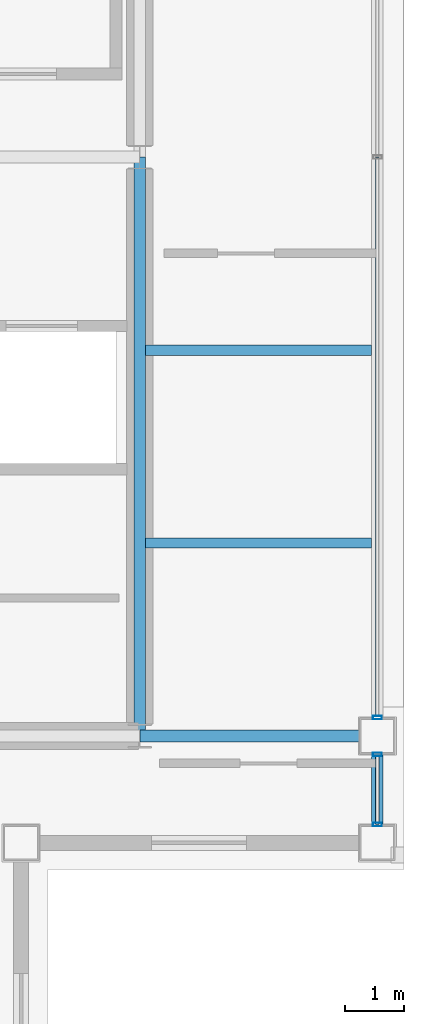
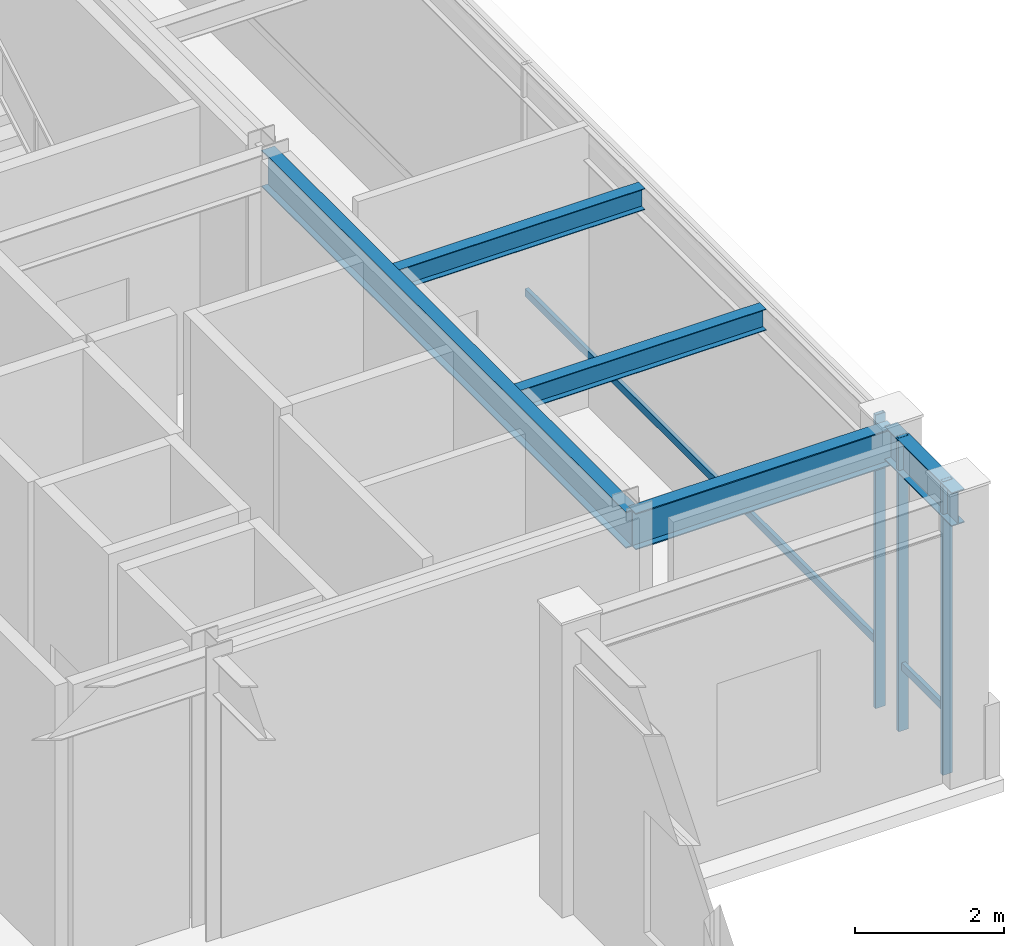
# One storey, part 10 of 21: 5 beams, 5 members, 2 elements without a shape of their own.
"""IFC4 building model written with IfcOpenShell, lengths in metres."""

from ifc_helpers import new_model, si_unit, direction, frame, origin, origin_2d, place, context, subcontext, project, spatial, hollow_rectangle, i_section, extrude, material, layer, layer_set, material_profile, profile_set, type_object, element, aggregate, save


model = new_model("IFC4")

# Units and contexts
model_context = context("Model", 3, precision=1e-05, world=origin(), true_north=direction((0.0, 1.0)))
body_context = subcontext(model_context, "Body", "Model", "MODEL_VIEW")
ifc_project = project(units=[si_unit("LENGTHUNIT", "METRE"), si_unit("AREAUNIT", "SQUARE_METRE"), si_unit("VOLUMEUNIT", "CUBIC_METRE"), si_unit("PLANEANGLEUNIT", "RADIAN"), si_unit("MASSUNIT", "GRAM", prefix="KILO")], contexts=[model_context])

# Site, building, storey
site_placement = place(None, origin())
site = spatial("IfcSite", under=ifc_project, at=site_placement, CompositionType="ELEMENT")
building_placement = place(site_placement, origin())
building = spatial("IfcBuilding", under=site, at=building_placement, Name="Brelmoor Portico Tower", CompositionType="ELEMENT")
storey_placement = place(building_placement, frame((0.0, 0.0, 284.39990234375)))
storey = spatial("IfcBuildingStorey", under=building, at=storey_placement, Name="L75", CompositionType="ELEMENT", Elevation=284.39990234375)

# Beams
ifc_material_1 = material(Name="Steel Q355B", Category="steel")
ifc_material_profile_1 = material_profile(ifc_material_1, i_section(OverallWidth=0.175048828125, OverallDepth=0.35009765625, WebThickness=0.007080078125, FlangeThickness=0.010986328125, at=origin_2d()), Name="HN 350x175x7x11")
ifc_profile_set_1 = profile_set([ifc_material_profile_1], Name="Steel Q355B")
beam_type_1 = type_object("IfcBeamType", Name="BM-JS-350", PredefinedType="JOIST", material=ifc_profile_set_1)
for number, where, z_axis, x_axis, name in (
    (1, (14.64990234375, -6.5, 4.425048828125), (1.0, 0.0, 0.0), (0.0, 1.0, 0.0), "L75 Secondary Wing Joist JS-E11"),
    (2, (14.64990234375, -3.25, 4.425048828125), (1.0, 0.0, 0.0), (0.0, 1.0, 0.0), "L75 Secondary Wing Joist JS-E12"),
):
    element("IfcBeam", number, at=place(storey_placement, frame(where, z_axis=z_axis, x_axis=x_axis)), inside=storey, type_object=beam_type_1, Name=name, PredefinedType="JOIST", context=body_context, shape_type="SweptSolid", body=[
        extrude(i_section(OverallWidth=0.175048828125, OverallDepth=0.35009765625, WebThickness=0.007080078125, FlangeThickness=0.010986328125, at=origin_2d()), origin(), (0.0, 0.0, 1.0), 3.800048828125),
    ])
ifc_material_profile_2 = material_profile(ifc_material_1, i_section(OverallWidth=0.199951171875, OverallDepth=0.60009765625, WebThickness=0.010986328125, FlangeThickness=0.01708984375, at=origin_2d()), Name="HN 600x200x11x17")
ifc_profile_set_2 = profile_set([ifc_material_profile_2], Name="Steel Q355B")
beam_type_2 = type_object("IfcBeamType", Name="BM-PG-600", PredefinedType="BEAM", material=ifc_profile_set_2)
beam_1_placement = place(storey_placement, frame((14.550048828125, -9.75, 4.300048828125), z_axis=(0.0, 1.0, 0.0), x_axis=(-1.0, 0.0, 0.0)))
element("IfcBeam", 3, at=beam_1_placement, inside=storey, type_object=beam_type_2, Name="L75 Primary Floor Girder PG-09", PredefinedType="BEAM", context=body_context, shape_type="SweptSolid", body=[
    extrude(i_section(OverallWidth=0.199951171875, OverallDepth=0.60009765625, WebThickness=0.010986328125, FlangeThickness=0.01708984375, at=origin_2d()), origin(), (0.0, 0.0, 1.0), 9.75),
])
beam_2_placement = place(storey_placement, frame((14.550048828125, -9.75, 4.300048828125), z_axis=(1.0, 0.0, 0.0), x_axis=(0.0, 1.0, 0.0)))
element("IfcBeam", 4, at=beam_2_placement, inside=storey, type_object=beam_type_2, Name="L75 Primary Floor Girder PG-15", PredefinedType="BEAM", context=body_context, shape_type="SweptSolid", body=[
    extrude(i_section(OverallWidth=0.199951171875, OverallDepth=0.60009765625, WebThickness=0.010986328125, FlangeThickness=0.01708984375, at=origin_2d()), origin(), (0.0, 0.0, 1.0), 4.0),
])
ifc_material_profile_3 = material_profile(ifc_material_1, i_section(OverallWidth=0.199951171875, OverallDepth=0.550048828125, WebThickness=0.010009765625, FlangeThickness=0.01611328125, at=origin_2d()), Name="HN 550x200x10x16")
ifc_profile_set_3 = profile_set([ifc_material_profile_3], Name="Steel Q355B")
beam_type_3 = type_object("IfcBeamType", Name="BM-SP-550", PredefinedType="SPANDREL", material=ifc_profile_set_3)
beam_3_placement = place(storey_placement, frame((18.550048828125, -11.550048828125, 4.3251953125), z_axis=(0.0, 1.0, 0.0), x_axis=(-1.0, 0.0, 0.0)))
element("IfcBeam", 5, at=beam_3_placement, inside=storey, type_object=beam_type_3, Name="L75 Perimeter Spandrel Beam SP-18", PredefinedType="SPANDREL", context=body_context, shape_type="SweptSolid", body=[
    extrude(i_section(OverallWidth=0.199951171875, OverallDepth=0.550048828125, WebThickness=0.010009765625, FlangeThickness=0.01611328125, at=origin_2d()), origin(), (0.0, 0.0, 1.0), 1.800048828125),
])

# Curtain wall, members
ifc_material_2 = material(Name="Anodised Aluminium Alloy 6063-T6", Category="aluminium")
ifc_layer = layer(ifc_material_2, 0.179931640625)
ifc_layer_set = layer_set([ifc_layer], Name="Anodised Aluminium Alloy 6063-T6")
curtain_wall_type = type_object("IfcCurtainWallType", Name="CW-TOWER-Z4", PredefinedType="NOTDEFINED", material=ifc_layer_set)
curtain_wall_1_placement = place(storey_placement, origin())
curtain_wall_1 = element("IfcCurtainWall", 6, at=curtain_wall_1_placement, inside=storey, type_object=curtain_wall_type, Name="L75 Curtain Wall CW-L75-04-1", PredefinedType="NOTDEFINED")
ifc_material_profile_4 = material_profile(ifc_material_2, hollow_rectangle(XDim=0.06005859375, YDim=0.14990234375, WallThickness=0.00390625, at=origin_2d()), Name="ALU MULLION 60x150")
ifc_profile_set_4 = profile_set([ifc_material_profile_4], Name="Anodised Aluminium Alloy 6063-T6")
member_type_1 = type_object("IfcMemberType", Name="MB-CW-MULL-150", PredefinedType="MULLION", material=ifc_profile_set_4)
member_1_placement = place(storey_placement, frame((18.550048828125, -11.239990234375, -0.199951171875), z_axis=(0.0, 0.0, 1.0), x_axis=(0.0, 1.0, 0.0)))
member_1 = element("IfcMember", 7, at=member_1_placement, type_object=member_type_1, Name="CW-L75-04-1 Mullion 00", PredefinedType="MULLION", context=body_context, shape_type="SweptSolid", body=[
    extrude(hollow_rectangle(XDim=0.06005859375, YDim=0.14990234375, WallThickness=0.00390625, at=origin_2d()), origin(), (0.0, 0.0, 1.0), 4.800048828125),
])
member_2_placement = place(storey_placement, frame((18.550048828125, -10.06005859375, -0.199951171875), z_axis=(0.0, 0.0, 1.0), x_axis=(0.0, 1.0, 0.0)))
member_2 = element("IfcMember", 8, at=member_2_placement, type_object=member_type_1, Name="CW-L75-04-1 Mullion 01", PredefinedType="MULLION", context=body_context, shape_type="SweptSolid", body=[
    extrude(hollow_rectangle(XDim=0.06005859375, YDim=0.14990234375, WallThickness=0.00390625, at=origin_2d()), origin(), (0.0, 0.0, 1.0), 4.800048828125),
])

# Curtain wall, member
curtain_wall_2_placement = place(storey_placement, origin())
curtain_wall_2 = element("IfcCurtainWall", 9, at=curtain_wall_2_placement, inside=storey, type_object=curtain_wall_type, Name="L75 Curtain Wall CW-L75-04-2", PredefinedType="NOTDEFINED")
member_3_placement = place(storey_placement, frame((18.550048828125, -9.43994140625, -0.199951171875), z_axis=(0.0, 0.0, 1.0), x_axis=(0.0, 1.0, 0.0)))
member_3 = element("IfcMember", 10, at=member_3_placement, type_object=member_type_1, Name="CW-L75-04-2 Mullion 00", PredefinedType="MULLION", context=body_context, shape_type="SweptSolid", body=[
    extrude(hollow_rectangle(XDim=0.06005859375, YDim=0.14990234375, WallThickness=0.00390625, at=origin_2d()), origin(), (0.0, 0.0, 1.0), 4.800048828125),
])

# Member
ifc_material_profile_5 = material_profile(ifc_material_2, hollow_rectangle(XDim=0.06005859375, YDim=0.125, WallThickness=0.00341796875, at=origin_2d()), Name="ALU TRANSOM 60x125")
ifc_profile_set_5 = profile_set([ifc_material_profile_5], Name="Anodised Aluminium Alloy 6063-T6")
member_type_2 = type_object("IfcMemberType", Name="MB-CW-TRAN-125", PredefinedType="USERDEFINED", material=ifc_profile_set_5)
member_4_placement = place(storey_placement, frame((18.550048828125, -11.239990234375, 0.85009765625), z_axis=(0.0, 1.0, 0.0), x_axis=(-1.0, 0.0, 0.0)))
member_4 = element("IfcMember", 11, at=member_4_placement, type_object=member_type_2, Name="CW-L75-04-1 Transom 1-00", ObjectType="TRANSOM", PredefinedType="USERDEFINED", context=body_context, shape_type="SweptSolid", body=[
    extrude(hollow_rectangle(XDim=0.06005859375, YDim=0.125, WallThickness=0.00341796875, at=origin_2d()), origin(), (0.0, 0.0, 1.0), 1.179931640625),
])

aggregate(curtain_wall_1, [member_1, member_2, member_4])

member_5_placement = place(storey_placement, frame((18.550048828125, -9.43994140625, 0.85009765625), z_axis=(0.0, 1.0, 0.0), x_axis=(-1.0, 0.0, 0.0)))
member_5 = element("IfcMember", 12, at=member_5_placement, type_object=member_type_2, Name="CW-L75-04-2 Transom 1-00", ObjectType="TRANSOM", PredefinedType="USERDEFINED", context=body_context, shape_type="SweptSolid", body=[
    extrude(hollow_rectangle(XDim=0.06005859375, YDim=0.125, WallThickness=0.00341796875, at=origin_2d()), origin(), (0.0, 0.0, 1.0), 9.43994140625),
])

aggregate(curtain_wall_2, [member_3, member_5])

save(model, "model.ifc")
